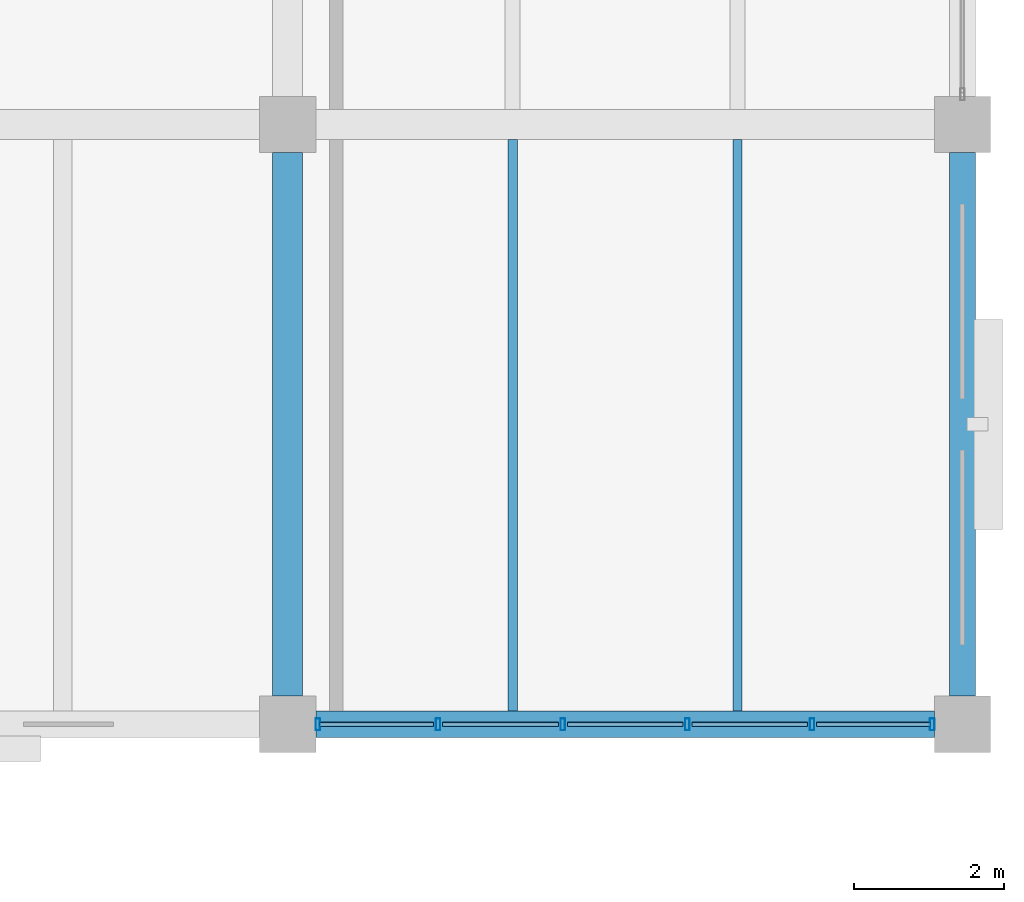
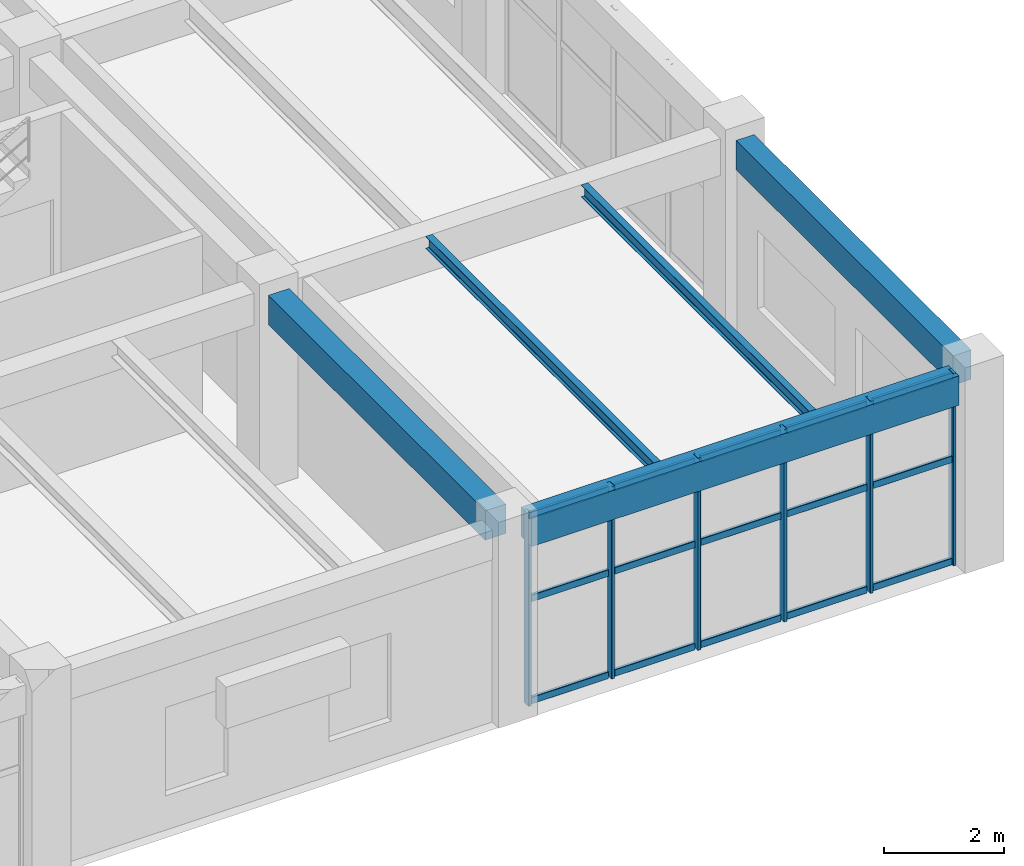
# One storey, part 91 of 148: 21 members, 5 beams, 1 element without a shape of its own.
"""IFC4 building model written with IfcOpenShell, lengths in metres."""

from ifc_helpers import new_model, si_unit, derived_unit, direction, frame, origin, origin_2d, place, context, subcontext, project, spatial, rectangle, hollow_rectangle, i_section, extrude, material, material_profile, profile_set, type_object, element, aggregate, save


model = new_model("IFC4")

# Units and contexts
model_context = context("Model", 3, precision=1e-05, world=origin(), true_north=direction((0.0, 1.0)))
body_context = subcontext(model_context, "Body", "Model", "MODEL_VIEW")
ifc_project = project(units=[si_unit("LENGTHUNIT", "METRE"), si_unit("AREAUNIT", "SQUARE_METRE"), si_unit("VOLUMEUNIT", "CUBIC_METRE"), si_unit("PLANEANGLEUNIT", "RADIAN"), si_unit("MASSUNIT", "GRAM", prefix="KILO"), derived_unit("THERMALTRANSMITTANCEUNIT", [(si_unit("MASSUNIT", "GRAM", prefix="KILO"), 1), (si_unit("TIMEUNIT", "SECOND"), -3), (si_unit("THERMODYNAMICTEMPERATUREUNIT", "KELVIN"), -1)])], contexts=[model_context])

# Site, building, storey
site_placement = place(None, origin())
site = spatial("IfcSite", under=ifc_project, at=site_placement, CompositionType="ELEMENT")
building_placement = place(site_placement, origin())
building = spatial("IfcBuilding", under=site, at=building_placement, Name="Zhenchuan Archway Interchange", CompositionType="ELEMENT")
storey_placement = place(building_placement, frame((0.0, 0.0, 10.199951171875)))
storey = spatial("IfcBuildingStorey", under=building, at=storey_placement, Name="L02", CompositionType="ELEMENT", Elevation=10.199951171875)

# Beam
ifc_material_1 = material(Name="Concrete C40", Category="concrete")
ifc_material_profile_1 = material_profile(ifc_material_1, rectangle(XDim=0.39990234375, YDim=0.60009765625, at=origin_2d()), Name="RC 400x600")
ifc_profile_set_1 = profile_set([ifc_material_profile_1], Name="Concrete C40")
beam_type_1 = type_object("IfcBeamType", Name="BM_RC_400x600", PredefinedType="BEAM", material=ifc_profile_set_1)
beam_1_placement = place(storey_placement, frame((162.0, 8.375, 3.6201171875), z_axis=(0.0, 1.0, 0.0), x_axis=(-1.0, 0.0, 0.0)))
element("IfcBeam", 1, at=beam_1_placement, inside=storey, type_object=beam_type_1, Name="Beam 19:B-C (L02)", PredefinedType="BEAM", context=body_context, shape_type="SweptSolid", body=[
    extrude(rectangle(XDim=0.39990234375, YDim=0.60009765625, at=origin_2d()), origin(), (0.0, 0.0, 1.0), 7.25),
])

# Curtain wall, members
ifc_material_2 = material(Name="Anodised Aluminium", Category="aluminium")
curtain_wall_type = type_object("IfcCurtainWallType", Name="CW_UNIT_1", PredefinedType="NOTDEFINED", material=ifc_material_2)
curtain_wall_placement = place(storey_placement, origin())
curtain_wall = element("IfcCurtainWall", 2, at=curtain_wall_placement, inside=storey, type_object=curtain_wall_type, Name="Unitised curtain wall CW:L02:156", PredefinedType="NOTDEFINED")
ifc_material_profile_2 = material_profile(ifc_material_2, hollow_rectangle(XDim=0.06005859375, YDim=0.159912109375, WallThickness=0.00390625, InnerFilletRadius=0.00390625, OuterFilletRadius=0.008056640625, at=origin_2d()), Name="ALU 160x60x4")
ifc_profile_set_2 = profile_set([ifc_material_profile_2], Name="Anodised Aluminium")
member_type_1 = type_object("IfcMemberType", Name="CW_MUL_150", PredefinedType="MULLION", material=ifc_profile_set_2)
member_1_placement = place(storey_placement, frame((170.596923828125, 8.0, 0.0), z_axis=(0.0, 0.0, 1.0), x_axis=(1.0, 0.0, 0.0)))
member_1 = element("IfcMember", 3, at=member_1_placement, type_object=member_type_1, Name="CW:L02:156 mullion 0", PredefinedType="MULLION", context=body_context, shape_type="SweptSolid", body=[
    extrude(hollow_rectangle(XDim=0.06005859375, YDim=0.159912109375, WallThickness=0.00390625, InnerFilletRadius=0.00390625, OuterFilletRadius=0.008056640625, at=origin_2d()), origin(), (0.0, 0.0, 1.0), 3.920166015625),
])
member_2_placement = place(storey_placement, frame((168.994140625, 8.0, 0.0), z_axis=(0.0, 0.0, 1.0), x_axis=(1.0, 0.0, 0.0)))
member_2 = element("IfcMember", 4, at=member_2_placement, type_object=member_type_1, Name="CW:L02:156 mullion 1", PredefinedType="MULLION", context=body_context, shape_type="SweptSolid", body=[
    extrude(hollow_rectangle(XDim=0.06005859375, YDim=0.159912109375, WallThickness=0.00390625, InnerFilletRadius=0.00390625, OuterFilletRadius=0.008056640625, at=origin_2d()), origin(), (0.0, 0.0, 1.0), 3.920166015625),
])
member_3_placement = place(storey_placement, frame((167.331298828125, 8.0, 0.0), z_axis=(0.0, 0.0, 1.0), x_axis=(1.0, 0.0, 0.0)))
member_3 = element("IfcMember", 5, at=member_3_placement, type_object=member_type_1, Name="CW:L02:156 mullion 2", PredefinedType="MULLION", context=body_context, shape_type="SweptSolid", body=[
    extrude(hollow_rectangle(XDim=0.06005859375, YDim=0.159912109375, WallThickness=0.00390625, InnerFilletRadius=0.00390625, OuterFilletRadius=0.008056640625, at=origin_2d()), origin(), (0.0, 0.0, 1.0), 3.920166015625),
])
member_4_placement = place(storey_placement, frame((165.668701171875, 8.0, 0.0), z_axis=(0.0, 0.0, 1.0), x_axis=(1.0, 0.0, 0.0)))
member_4 = element("IfcMember", 6, at=member_4_placement, type_object=member_type_1, Name="CW:L02:156 mullion 3", PredefinedType="MULLION", context=body_context, shape_type="SweptSolid", body=[
    extrude(hollow_rectangle(XDim=0.06005859375, YDim=0.159912109375, WallThickness=0.00390625, InnerFilletRadius=0.00390625, OuterFilletRadius=0.008056640625, at=origin_2d()), origin(), (0.0, 0.0, 1.0), 3.920166015625),
])
member_5_placement = place(storey_placement, frame((164.005859375, 8.0, 0.0), z_axis=(0.0, 0.0, 1.0), x_axis=(1.0, 0.0, 0.0)))
member_5 = element("IfcMember", 7, at=member_5_placement, type_object=member_type_1, Name="CW:L02:156 mullion 4", PredefinedType="MULLION", context=body_context, shape_type="SweptSolid", body=[
    extrude(hollow_rectangle(XDim=0.06005859375, YDim=0.159912109375, WallThickness=0.00390625, InnerFilletRadius=0.00390625, OuterFilletRadius=0.008056640625, at=origin_2d()), origin(), (0.0, 0.0, 1.0), 3.920166015625),
])
member_6_placement = place(storey_placement, frame((162.403076171875, 8.0, 0.0), z_axis=(0.0, 0.0, 1.0), x_axis=(1.0, 0.0, 0.0)))
member_6 = element("IfcMember", 8, at=member_6_placement, type_object=member_type_1, Name="CW:L02:156 mullion 5", PredefinedType="MULLION", context=body_context, shape_type="SweptSolid", body=[
    extrude(hollow_rectangle(XDim=0.06005859375, YDim=0.159912109375, WallThickness=0.00390625, InnerFilletRadius=0.00390625, OuterFilletRadius=0.008056640625, at=origin_2d()), origin(), (0.0, 0.0, 1.0), 3.920166015625),
])
ifc_material_profile_3 = material_profile(ifc_material_2, hollow_rectangle(XDim=0.06005859375, YDim=0.139892578125, WallThickness=0.00341796875, InnerFilletRadius=0.00341796875, OuterFilletRadius=0.007080078125, at=origin_2d()), Name="ALU 140x60x3.5")
ifc_profile_set_3 = profile_set([ifc_material_profile_3], Name="Anodised Aluminium")
member_type_2 = type_object("IfcMemberType", Name="CW_TRN_140", PredefinedType="USERDEFINED", material=ifc_profile_set_3)
member_7_placement = place(storey_placement, frame((170.576904296875, 8.0, 0.06005859375), z_axis=(-1.0, 0.0, 0.0), x_axis=(0.0, -1.0, 0.0)))
member_7 = element("IfcMember", 9, at=member_7_placement, type_object=member_type_2, Name="CW:L02:156 transom 0-1", ObjectType="TRANSOM", PredefinedType="USERDEFINED", context=body_context, shape_type="SweptSolid", body=[
    extrude(hollow_rectangle(XDim=0.06005859375, YDim=0.139892578125, WallThickness=0.00341796875, InnerFilletRadius=0.00341796875, OuterFilletRadius=0.007080078125, at=origin_2d()), origin(), (0.0, 0.0, 1.0), 1.522705078125),
])
member_8_placement = place(storey_placement, frame((170.576904296875, 8.0, 2.14501953125), z_axis=(-1.0, 0.0, 0.0), x_axis=(0.0, -1.0, 0.0)))
member_8 = element("IfcMember", 10, at=member_8_placement, type_object=member_type_2, Name="CW:L02:156 transom 0-2", ObjectType="TRANSOM", PredefinedType="USERDEFINED", context=body_context, shape_type="SweptSolid", body=[
    extrude(hollow_rectangle(XDim=0.06005859375, YDim=0.139892578125, WallThickness=0.00341796875, InnerFilletRadius=0.00341796875, OuterFilletRadius=0.007080078125, at=origin_2d()), origin(), (0.0, 0.0, 1.0), 1.522705078125),
])
member_9_placement = place(storey_placement, frame((170.576904296875, 8.0, 3.840087890625), z_axis=(-1.0, 0.0, 0.0), x_axis=(0.0, -1.0, 0.0)))
member_9 = element("IfcMember", 11, at=member_9_placement, type_object=member_type_2, Name="CW:L02:156 transom 0-3", ObjectType="TRANSOM", PredefinedType="USERDEFINED", context=body_context, shape_type="SweptSolid", body=[
    extrude(hollow_rectangle(XDim=0.06005859375, YDim=0.139892578125, WallThickness=0.00341796875, InnerFilletRadius=0.00341796875, OuterFilletRadius=0.007080078125, at=origin_2d()), origin(), (0.0, 0.0, 1.0), 1.522705078125),
])
member_10_placement = place(storey_placement, frame((168.93408203125, 8.0, 0.06005859375), z_axis=(-1.0, 0.0, 0.0), x_axis=(0.0, -1.0, 0.0)))
member_10 = element("IfcMember", 12, at=member_10_placement, type_object=member_type_2, Name="CW:L02:156 transom 1-1", ObjectType="TRANSOM", PredefinedType="USERDEFINED", context=body_context, shape_type="SweptSolid", body=[
    extrude(hollow_rectangle(XDim=0.06005859375, YDim=0.139892578125, WallThickness=0.00341796875, InnerFilletRadius=0.00341796875, OuterFilletRadius=0.007080078125, at=origin_2d()), origin(), (0.0, 0.0, 1.0), 1.542724609375),
])
member_11_placement = place(storey_placement, frame((168.93408203125, 8.0, 2.14501953125), z_axis=(-1.0, 0.0, 0.0), x_axis=(0.0, -1.0, 0.0)))
member_11 = element("IfcMember", 13, at=member_11_placement, type_object=member_type_2, Name="CW:L02:156 transom 1-2", ObjectType="TRANSOM", PredefinedType="USERDEFINED", context=body_context, shape_type="SweptSolid", body=[
    extrude(hollow_rectangle(XDim=0.06005859375, YDim=0.139892578125, WallThickness=0.00341796875, InnerFilletRadius=0.00341796875, OuterFilletRadius=0.007080078125, at=origin_2d()), origin(), (0.0, 0.0, 1.0), 1.542724609375),
])
member_12_placement = place(storey_placement, frame((168.93408203125, 8.0, 3.840087890625), z_axis=(-1.0, 0.0, 0.0), x_axis=(0.0, -1.0, 0.0)))
member_12 = element("IfcMember", 14, at=member_12_placement, type_object=member_type_2, Name="CW:L02:156 transom 1-3", ObjectType="TRANSOM", PredefinedType="USERDEFINED", context=body_context, shape_type="SweptSolid", body=[
    extrude(hollow_rectangle(XDim=0.06005859375, YDim=0.139892578125, WallThickness=0.00341796875, InnerFilletRadius=0.00341796875, OuterFilletRadius=0.007080078125, at=origin_2d()), origin(), (0.0, 0.0, 1.0), 1.542724609375),
])
member_13_placement = place(storey_placement, frame((167.271484375, 8.0, 0.06005859375), z_axis=(-1.0, 0.0, 0.0), x_axis=(0.0, -1.0, 0.0)))
member_13 = element("IfcMember", 15, at=member_13_placement, type_object=member_type_2, Name="CW:L02:156 transom 2-1", ObjectType="TRANSOM", PredefinedType="USERDEFINED", context=body_context, shape_type="SweptSolid", body=[
    extrude(hollow_rectangle(XDim=0.06005859375, YDim=0.139892578125, WallThickness=0.00341796875, InnerFilletRadius=0.00341796875, OuterFilletRadius=0.007080078125, at=origin_2d()), origin(), (0.0, 0.0, 1.0), 1.54296875),
])
member_14_placement = place(storey_placement, frame((167.271484375, 8.0, 2.14501953125), z_axis=(-1.0, 0.0, 0.0), x_axis=(0.0, -1.0, 0.0)))
member_14 = element("IfcMember", 16, at=member_14_placement, type_object=member_type_2, Name="CW:L02:156 transom 2-2", ObjectType="TRANSOM", PredefinedType="USERDEFINED", context=body_context, shape_type="SweptSolid", body=[
    extrude(hollow_rectangle(XDim=0.06005859375, YDim=0.139892578125, WallThickness=0.00341796875, InnerFilletRadius=0.00341796875, OuterFilletRadius=0.007080078125, at=origin_2d()), origin(), (0.0, 0.0, 1.0), 1.54296875),
])
member_15_placement = place(storey_placement, frame((167.271484375, 8.0, 3.840087890625), z_axis=(-1.0, 0.0, 0.0), x_axis=(0.0, -1.0, 0.0)))
member_15 = element("IfcMember", 17, at=member_15_placement, type_object=member_type_2, Name="CW:L02:156 transom 2-3", ObjectType="TRANSOM", PredefinedType="USERDEFINED", context=body_context, shape_type="SweptSolid", body=[
    extrude(hollow_rectangle(XDim=0.06005859375, YDim=0.139892578125, WallThickness=0.00341796875, InnerFilletRadius=0.00341796875, OuterFilletRadius=0.007080078125, at=origin_2d()), origin(), (0.0, 0.0, 1.0), 1.54296875),
])
member_16_placement = place(storey_placement, frame((165.608642578125, 8.0, 0.06005859375), z_axis=(-1.0, 0.0, 0.0), x_axis=(0.0, -1.0, 0.0)))
member_16 = element("IfcMember", 18, at=member_16_placement, type_object=member_type_2, Name="CW:L02:156 transom 3-1", ObjectType="TRANSOM", PredefinedType="USERDEFINED", context=body_context, shape_type="SweptSolid", body=[
    extrude(hollow_rectangle(XDim=0.06005859375, YDim=0.139892578125, WallThickness=0.00341796875, InnerFilletRadius=0.00341796875, OuterFilletRadius=0.007080078125, at=origin_2d()), origin(), (0.0, 0.0, 1.0), 1.542724609375),
])
member_17_placement = place(storey_placement, frame((165.608642578125, 8.0, 2.14501953125), z_axis=(-1.0, 0.0, 0.0), x_axis=(0.0, -1.0, 0.0)))
member_17 = element("IfcMember", 19, at=member_17_placement, type_object=member_type_2, Name="CW:L02:156 transom 3-2", ObjectType="TRANSOM", PredefinedType="USERDEFINED", context=body_context, shape_type="SweptSolid", body=[
    extrude(hollow_rectangle(XDim=0.06005859375, YDim=0.139892578125, WallThickness=0.00341796875, InnerFilletRadius=0.00341796875, OuterFilletRadius=0.007080078125, at=origin_2d()), origin(), (0.0, 0.0, 1.0), 1.542724609375),
])
member_18_placement = place(storey_placement, frame((165.608642578125, 8.0, 3.840087890625), z_axis=(-1.0, 0.0, 0.0), x_axis=(0.0, -1.0, 0.0)))
member_18 = element("IfcMember", 20, at=member_18_placement, type_object=member_type_2, Name="CW:L02:156 transom 3-3", ObjectType="TRANSOM", PredefinedType="USERDEFINED", context=body_context, shape_type="SweptSolid", body=[
    extrude(hollow_rectangle(XDim=0.06005859375, YDim=0.139892578125, WallThickness=0.00341796875, InnerFilletRadius=0.00341796875, OuterFilletRadius=0.007080078125, at=origin_2d()), origin(), (0.0, 0.0, 1.0), 1.542724609375),
])
member_19_placement = place(storey_placement, frame((163.94580078125, 8.0, 0.06005859375), z_axis=(-1.0, 0.0, 0.0), x_axis=(0.0, -1.0, 0.0)))
member_19 = element("IfcMember", 21, at=member_19_placement, type_object=member_type_2, Name="CW:L02:156 transom 4-1", ObjectType="TRANSOM", PredefinedType="USERDEFINED", context=body_context, shape_type="SweptSolid", body=[
    extrude(hollow_rectangle(XDim=0.06005859375, YDim=0.139892578125, WallThickness=0.00341796875, InnerFilletRadius=0.00341796875, OuterFilletRadius=0.007080078125, at=origin_2d()), origin(), (0.0, 0.0, 1.0), 1.522705078125),
])
member_20_placement = place(storey_placement, frame((163.94580078125, 8.0, 2.14501953125), z_axis=(-1.0, 0.0, 0.0), x_axis=(0.0, -1.0, 0.0)))
member_20 = element("IfcMember", 22, at=member_20_placement, type_object=member_type_2, Name="CW:L02:156 transom 4-2", ObjectType="TRANSOM", PredefinedType="USERDEFINED", context=body_context, shape_type="SweptSolid", body=[
    extrude(hollow_rectangle(XDim=0.06005859375, YDim=0.139892578125, WallThickness=0.00341796875, InnerFilletRadius=0.00341796875, OuterFilletRadius=0.007080078125, at=origin_2d()), origin(), (0.0, 0.0, 1.0), 1.522705078125),
])
member_21_placement = place(storey_placement, frame((163.94580078125, 8.0, 3.840087890625), z_axis=(-1.0, 0.0, 0.0), x_axis=(0.0, -1.0, 0.0)))
member_21 = element("IfcMember", 23, at=member_21_placement, type_object=member_type_2, Name="CW:L02:156 transom 4-3", ObjectType="TRANSOM", PredefinedType="USERDEFINED", context=body_context, shape_type="SweptSolid", body=[
    extrude(hollow_rectangle(XDim=0.06005859375, YDim=0.139892578125, WallThickness=0.00341796875, InnerFilletRadius=0.00341796875, OuterFilletRadius=0.007080078125, at=origin_2d()), origin(), (0.0, 0.0, 1.0), 1.522705078125),
])
aggregate(curtain_wall, [member_1, member_2, member_3, member_4, member_5, member_6, member_7, member_8, member_9, member_10, member_11, member_12, member_13, member_14, member_15, member_16, member_17, member_18, member_19, member_20, member_21])

# Beams
ifc_material_3 = material(Name="Steel Q355", Category="steel")
ifc_material_profile_4 = material_profile(ifc_material_3, i_section(OverallWidth=0.125, OverallDepth=0.25, WebThickness=0.006103515625, FlangeThickness=0.009033203125, FilletRadius=0.011962890625, at=origin_2d()), Name="HN 250x125")
ifc_profile_set_4 = profile_set([ifc_material_profile_4], Name="Steel Q355")
beam_type_2 = type_object("IfcBeamType", Name="JST_STL_HN250", PredefinedType="JOIST", material=ifc_profile_set_4)
for number, where, z_axis, x_axis, name in (
    (24, (165.0, 8.175048828125, 3.795166015625), (0.0, 1.0, 0.0), (-1.0, 0.0, 0.0), "Secondary joist 19-20/B-C #1 (L02)"),
    (25, (168.0, 8.175048828125, 3.795166015625), (0.0, 1.0, 0.0), (-1.0, 0.0, 0.0), "Secondary joist 19-20/B-C #2 (L02)"),
):
    element("IfcBeam", number, at=place(storey_placement, frame(where, z_axis=z_axis, x_axis=x_axis)), inside=storey, type_object=beam_type_2, Name=name, PredefinedType="JOIST", context=body_context, shape_type="SweptSolid", body=[
        extrude(i_section(OverallWidth=0.125, OverallDepth=0.25, WebThickness=0.006103515625, FlangeThickness=0.009033203125, FilletRadius=0.011962890625, at=origin_2d()), origin(), (0.0, 0.0, 1.0), 7.625),
    ])
ifc_material_profile_5 = material_profile(ifc_material_1, rectangle(XDim=0.35009765625, YDim=0.60009765625, at=origin_2d()), Name="RC 350x600")
ifc_profile_set_5 = profile_set([ifc_material_profile_5], Name="Concrete C40")
beam_type_3 = type_object("IfcBeamType", Name="SP_RC_350x600", PredefinedType="SPANDREL", material=ifc_profile_set_5)
beam_2_placement = place(storey_placement, frame((162.375, 8.0, 3.6201171875), z_axis=(1.0, 0.0, 0.0), x_axis=(0.0, 1.0, 0.0)))
element("IfcBeam", 26, at=beam_2_placement, inside=storey, type_object=beam_type_3, Name="Beam B:19-20 (L02)", PredefinedType="SPANDREL", context=body_context, shape_type="SweptSolid", body=[
    extrude(rectangle(XDim=0.35009765625, YDim=0.60009765625, at=origin_2d()), origin(), (0.0, 0.0, 1.0), 8.25),
])
beam_3_placement = place(storey_placement, frame((171.0, 8.375, 3.6201171875), z_axis=(0.0, 1.0, 0.0), x_axis=(-1.0, 0.0, 0.0)))
element("IfcBeam", 27, at=beam_3_placement, inside=storey, type_object=beam_type_3, Name="Beam 20:B-C (L02)", PredefinedType="SPANDREL", context=body_context, shape_type="SweptSolid", body=[
    extrude(rectangle(XDim=0.35009765625, YDim=0.60009765625, at=origin_2d()), origin(), (0.0, 0.0, 1.0), 7.25),
])

save(model, "model.ifc")
